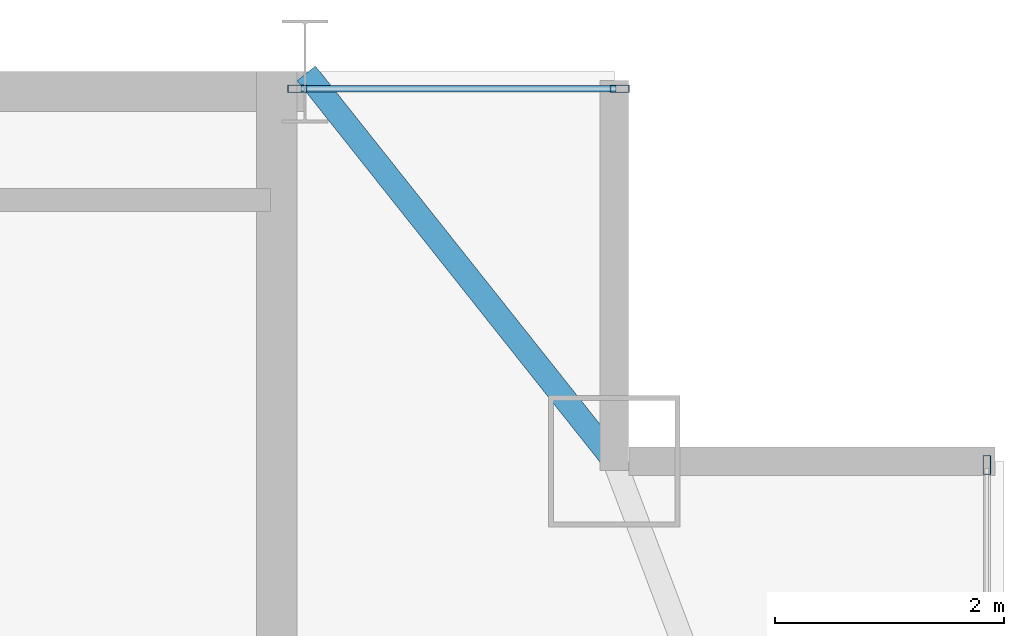
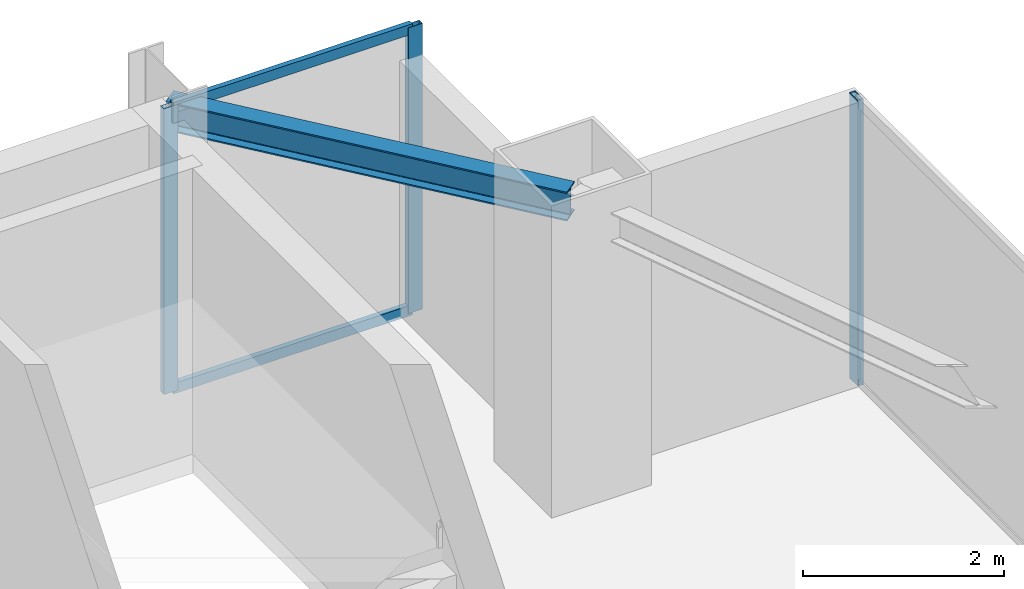
# One storey, part 22 of 28: 5 members, 1 beam, 2 elements without a shape of their own.
"""IFC4 building model written with IfcOpenShell, lengths in metres."""

from ifc_helpers import new_model, si_unit, direction, frame, origin, origin_2d, place, context, subcontext, project, spatial, hollow_rectangle, i_section, extrude, source, transform, mapped, material, layer, layer_set, material_profile, profile_set, type_object, type_shapes, element, aggregate, save


model = new_model("IFC4")

# Units and contexts
model_context = context("Model", 3, precision=1e-05, world=origin(), true_north=direction((0.0, 1.0)))
body_context = subcontext(model_context, "Body", "Model", "MODEL_VIEW")
ifc_project = project(units=[si_unit("LENGTHUNIT", "METRE"), si_unit("AREAUNIT", "SQUARE_METRE"), si_unit("VOLUMEUNIT", "CUBIC_METRE"), si_unit("PLANEANGLEUNIT", "RADIAN"), si_unit("MASSUNIT", "GRAM", prefix="KILO")], contexts=[model_context])

# Site, building, storey
site_placement = place(None, origin())
site = spatial("IfcSite", under=ifc_project, at=site_placement, CompositionType="ELEMENT")
building_placement = place(site_placement, origin())
building = spatial("IfcBuilding", under=site, at=building_placement, Name="Varnel Quay Broadcast Tower", CompositionType="ELEMENT")
storey_placement = place(building_placement, frame((0.0, 0.0, 230.199951171875)))
storey = spatial("IfcBuildingStorey", under=building, at=storey_placement, Name="L57", CompositionType="ELEMENT", Elevation=230.199951171875)

# Beam
ifc_material_1 = material(Name="Structural Steel CSA G40.21 350W", Category="steel")
ifc_material_profile_1 = material_profile(ifc_material_1, i_section(OverallWidth=0.205078125, OverallDepth=0.35400390625, WebThickness=0.009521484375, FlangeThickness=0.016845703125, FilletRadius=0.012939453125, at=origin_2d()), Name="W360X79")
ifc_profile_set_1 = profile_set([ifc_material_profile_1], Name="Structural Steel CSA G40.21 350W")
beam_type = type_object("IfcBeamType", Name="Beam_W360X79", PredefinedType="SPANDREL", material=ifc_profile_set_1)
shared_shape_1 = source(origin(), body_context, "Body", "SweptSolid", [
    extrude(i_section(OverallWidth=0.205078125, OverallDepth=0.35400390625, WebThickness=0.009521484375, FlangeThickness=0.016845703125, FilletRadius=0.012939453125, at=origin_2d()), origin(), (0.0, 0.0, 1.0), 4.301513671875),
])
type_shapes(beam_type, [shared_shape_1])
beam_placement = place(storey_placement, frame((52.412353515625, 46.7841796875, 3.302978515625), z_axis=(0.621936399401, -0.783067758946, 0.0), x_axis=(0.783067758946, 0.621936399401, 0.0)))
element("IfcBeam", 1, at=beam_placement, inside=storey, type_object=beam_type, Name="L57 NE Tie Spandrel", PredefinedType="SPANDREL", context=body_context, shape_type="MappedRepresentation", body=[
    mapped(shared_shape_1, transform((0.0, 0.0, 0.0), x_axis=(1.0, 0.0, 0.0), y_axis=(0.0, 1.0, 0.0), z_axis=(0.0, 0.0, 1.0), scale=1.0)),
])

# Curtain wall, members
ifc_material_2 = material(Name="Anodised Bronze Aluminium 6063-T6", Category="aluminium")
ifc_layer = layer(ifc_material_2, 0.18994140625, Name="Anodised Bronze Aluminium 6063-T6")
ifc_layer_set = layer_set([ifc_layer], Name="Anodised Bronze Aluminium 6063-T6")
curtain_wall_type = type_object("IfcCurtainWallType", Name="CW_UpperTower", PredefinedType="NOTDEFINED", material=ifc_layer_set)
curtain_wall_1_placement = place(storey_placement, origin())
curtain_wall_1 = element("IfcCurtainWall", 2, at=curtain_wall_1_placement, inside=storey, type_object=curtain_wall_type, Name="L57 NE Wing Curtain Wall", PredefinedType="NOTDEFINED")
ifc_material_profile_2 = material_profile(ifc_material_2, hollow_rectangle(XDim=0.06005859375, YDim=0.125, WallThickness=0.0029296875, at=origin_2d()), Name="ALU60X125X3")
ifc_profile_set_2 = profile_set([ifc_material_profile_2], Name="Anodised Bronze Aluminium 6063-T6")
member_type_1 = type_object("IfcMemberType", Name="Tran_CWS-03", PredefinedType="USERDEFINED", material=ifc_profile_set_2)
shared_shape_2 = source(origin(), body_context, "Body", "SweptSolid", [
    extrude(hollow_rectangle(XDim=0.06005859375, YDim=0.125, WallThickness=0.0029296875, at=origin_2d()), origin(), (0.0, 0.0, 1.0), 2.75),
])
type_shapes(member_type_1, [shared_shape_2])
member_1_placement = place(storey_placement, frame((52.364990234375, 46.64990234375, 0.030029296875), z_axis=(1.0, 0.0, 0.0), x_axis=(0.0, 1.0, 0.0)))
member_1 = element("IfcMember", 3, at=member_1_placement, type_object=member_type_1, Name="CWS-03 transom 1.1", ObjectType="TRANSOM", PredefinedType="USERDEFINED", context=body_context, shape_type="MappedRepresentation", body=[
    mapped(shared_shape_2, transform((0.0, 0.0, 0.0), x_axis=(1.0, 0.0, 0.0), y_axis=(0.0, 1.0, 0.0), z_axis=(0.0, 0.0, 1.0), scale=1.0)),
])
member_2_placement = place(storey_placement, frame((52.364990234375, 46.64990234375, 3.449951171875), z_axis=(1.0, 0.0, 0.0), x_axis=(0.0, 1.0, 0.0)))
member_2 = element("IfcMember", 4, at=member_2_placement, type_object=member_type_1, Name="CWS-03 transom 1.2", ObjectType="TRANSOM", PredefinedType="USERDEFINED", context=body_context, shape_type="MappedRepresentation", body=[
    mapped(shared_shape_2, transform((0.0, 0.0, 0.0), x_axis=(1.0, 0.0, 0.0), y_axis=(0.0, 1.0, 0.0), z_axis=(0.0, 0.0, 1.0), scale=1.0)),
])

# Curtain wall, member
curtain_wall_2_placement = place(storey_placement, origin())
curtain_wall_2 = element("IfcCurtainWall", 5, at=curtain_wall_2_placement, inside=storey, type_object=curtain_wall_type, Name="L57 East Unitised Curtain Wall", PredefinedType="NOTDEFINED")
ifc_material_profile_3 = material_profile(ifc_material_2, hollow_rectangle(XDim=0.06494140625, YDim=0.1650390625, WallThickness=0.00341796875, at=origin_2d()), Name="ALU65X165X3.5")
ifc_profile_set_3 = profile_set([ifc_material_profile_3], Name="Anodised Bronze Aluminium 6063-T6")
member_type_2 = type_object("IfcMemberType", Name="Mull_CWS-03", PredefinedType="MULLION", material=ifc_profile_set_3)
shared_shape_3 = source(origin(), body_context, "Body", "SweptSolid", [
    extrude(hollow_rectangle(XDim=0.06494140625, YDim=0.1650390625, WallThickness=0.00341796875, at=origin_2d()), origin(), (0.0, 0.0, 1.0), 3.47998046875),
])
type_shapes(member_type_2, [shared_shape_3])
member_3_placement = place(storey_placement, frame((58.35009765625, 43.367431640625, 0.0), z_axis=(0.0, 0.0, 1.0), x_axis=(-1.0, 0.0, 0.0)))
member_3 = element("IfcMember", 6, at=member_3_placement, type_object=member_type_2, Name="CWS-03 mullion 3", PredefinedType="MULLION", context=body_context, shape_type="MappedRepresentation", body=[
    mapped(shared_shape_3, transform((0.0, 0.0, 0.0), x_axis=(1.0, 0.0, 0.0), y_axis=(0.0, 1.0, 0.0), z_axis=(0.0, 0.0, 1.0), scale=1.0)),
])
aggregate(curtain_wall_2, [member_3])

# Member
member_4_placement = place(storey_placement, frame((52.33251953125, 46.64990234375, 0.0), z_axis=(0.0, 0.0, 1.0), x_axis=(0.0, 1.0, 0.0)))
member_4 = element("IfcMember", 7, at=member_4_placement, type_object=member_type_2, Name="CWS-03 mullion 1", PredefinedType="MULLION", context=body_context, shape_type="MappedRepresentation", body=[
    mapped(shared_shape_3, transform((0.0, 0.0, 0.0), x_axis=(1.0, 0.0, 0.0), y_axis=(0.0, 1.0, 0.0), z_axis=(0.0, 0.0, 1.0), scale=1.0)),
])

member_5_placement = place(storey_placement, frame((55.1474609375, 46.64990234375, 0.0), z_axis=(0.0, 0.0, 1.0), x_axis=(0.0, 1.0, 0.0)))
member_5 = element("IfcMember", 8, at=member_5_placement, type_object=member_type_2, Name="CWS-03 mullion 2", PredefinedType="MULLION", context=body_context, shape_type="MappedRepresentation", body=[
    mapped(shared_shape_3, transform((0.0, 0.0, 0.0), x_axis=(1.0, 0.0, 0.0), y_axis=(0.0, 1.0, 0.0), z_axis=(0.0, 0.0, 1.0), scale=1.0)),
])

aggregate(curtain_wall_1, [member_4, member_5, member_1, member_2])

save(model, "model.ifc")
